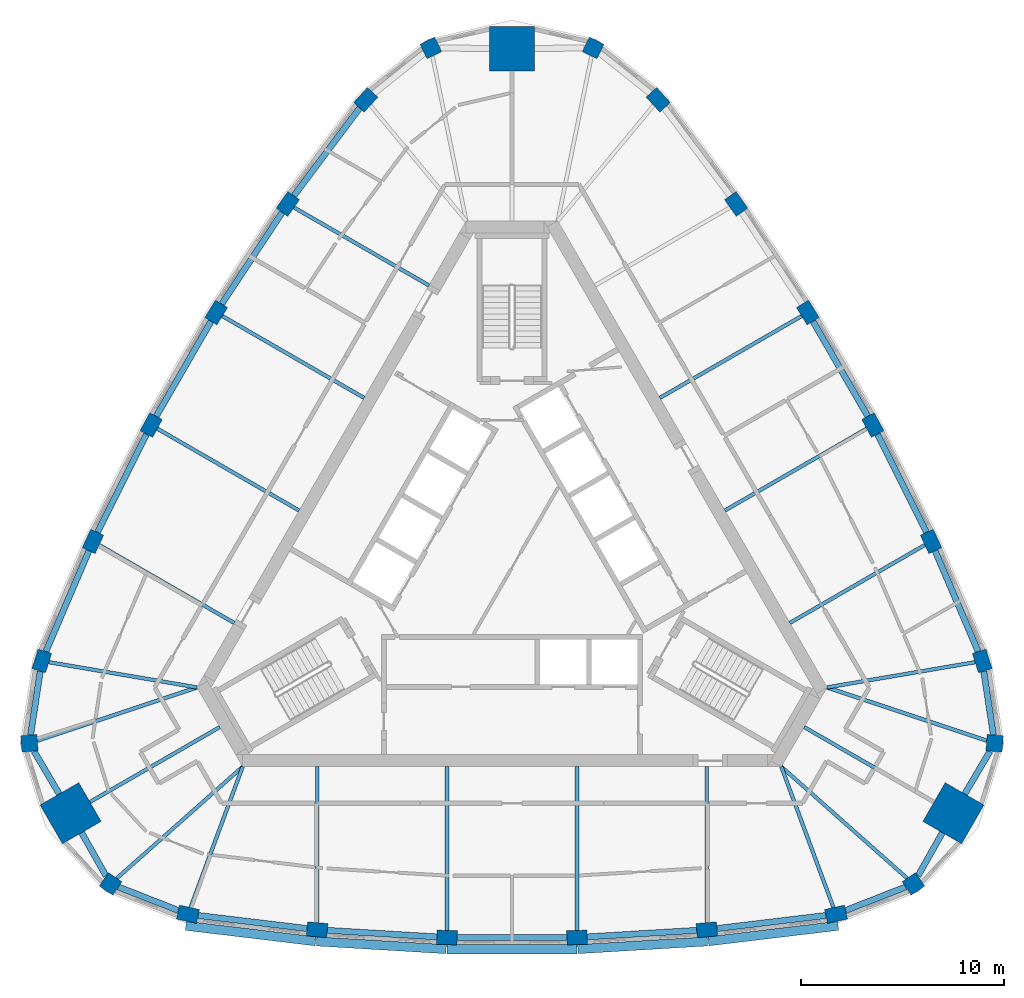
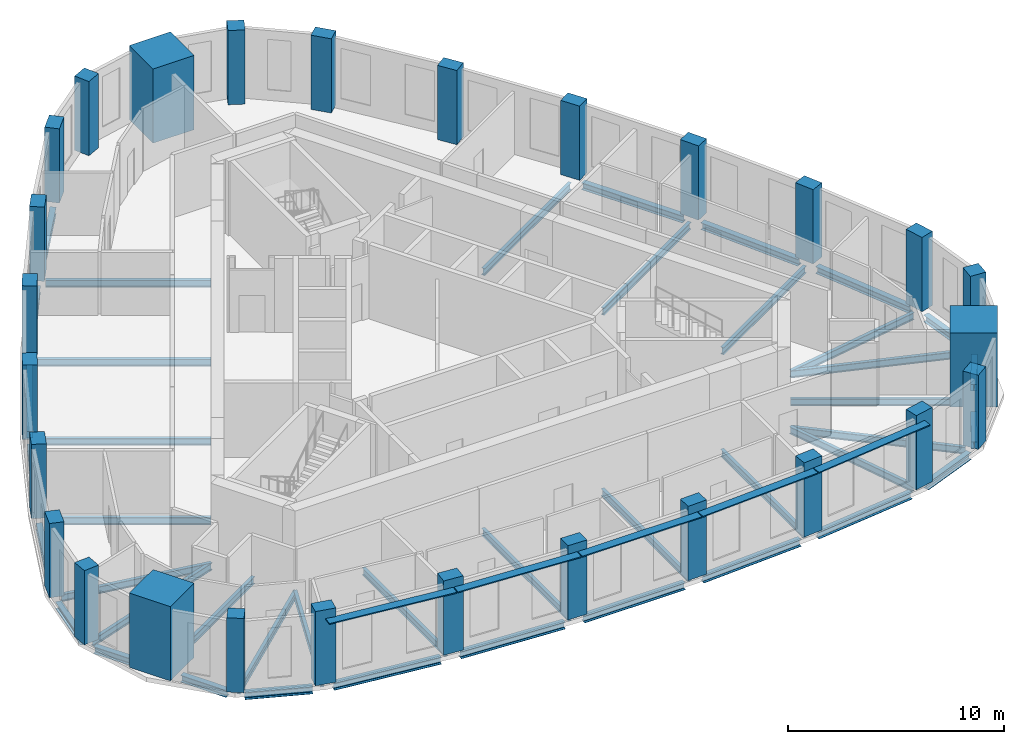
# One storey, part 1 of 10: 42 beams, 27 columns, 5 members.
"""IFC4 building model written with IfcOpenShell, lengths in metres."""

from ifc_helpers import new_model, si_unit, direction, frame, origin, origin_2d, place, context, subcontext, project, spatial, rectangle, i_section, extrude, material, material_profile, profile_set, type_object, element, save


model = new_model("IFC4")

# Units and contexts
model_context = context("Model", 3, precision=1e-05, world=origin(), true_north=direction((0.0, 1.0)))
body_context = subcontext(model_context, "Body", "Model", "MODEL_VIEW")
ifc_project = project(units=[si_unit("LENGTHUNIT", "METRE"), si_unit("AREAUNIT", "SQUARE_METRE"), si_unit("VOLUMEUNIT", "CUBIC_METRE"), si_unit("PLANEANGLEUNIT", "RADIAN"), si_unit("MASSUNIT", "GRAM", prefix="KILO")], contexts=[model_context])

# Site, building, storey
site_placement = place(None, origin())
site = spatial("IfcSite", under=ifc_project, at=site_placement, CompositionType="ELEMENT")
building_placement = place(site_placement, origin())
building = spatial("IfcBuilding", under=site, at=building_placement, Name="Mestral Congress Tower", CompositionType="ELEMENT")
storey_placement = place(building_placement, frame((0.0, 0.0, 309.0)))
storey = spatial("IfcBuildingStorey", under=building, at=storey_placement, Name="L72", CompositionType="ELEMENT", Elevation=309.0)

# Columns
ifc_material_1 = material(Name="Concrete C60/75", Category="concrete")
ifc_material_profile_1 = material_profile(ifc_material_1, rectangle(XDim=1.0, YDim=0.699951171875, at=origin_2d()), Name="RC 1000x700")
ifc_profile_set_1 = profile_set([ifc_material_profile_1], Name="Concrete C60/75")
column_type_1 = type_object("IfcColumnType", Name="Column RC 1000x700 C60/75", PredefinedType="COLUMN", material=ifc_profile_set_1)
for number, where, z_axis, x_axis, name in (
    (1, (-15.940673828125, -17.511962890625, 0.0), (0.0, 0.0, 1.0), (0.976233636503, -0.216720758026, 0.0), "COL-L72-C5-S00"),
    (2, (-9.587158203125, -18.273681640625, 0.0), (0.0, 0.0, 1.0), (0.995997816519, -0.089377567035, 0.0), "COL-L72-C5-S01"),
    (3, (-3.199462890625, -18.6552734375, 0.0), (0.0, 0.0, 1.0), (0.999555031657, -0.029828487872, 0.0), "COL-L72-C5-S02"),
    (4, (3.199462890625, -18.6552734375, 0.0), (0.0, 0.0, 1.0), (0.999555031657, 0.029828487872, 0.0), "COL-L72-C5-S03"),
    (5, (9.587158203125, -18.273681640625, 0.0), (0.0, 0.0, 1.0), (0.995997816519, 0.089377567035, 0.0), "COL-L72-C5-S04"),
    (6, (15.940673828125, -17.511962890625, 0.0), (0.0, 0.0, 1.0), (0.976233636503, 0.216720758026, 0.0), "COL-L72-C5-S05"),
    (7, (23.135986328125, -5.049072265625, 0.0), (0.0, 0.0, 1.0), (-0.300431136274, 0.953803508254, 0.0), "COL-L72-C5-E00"),
    (8, (20.618896484375, 0.833984375, 0.0), (0.0, 0.0, 1.0), (-0.420595664679, 0.907248194737, 0.0), "COL-L72-C5-E01"),
    (9, (17.755615234375, 6.556640625, 0.0), (0.0, 0.0, 1.0), (-0.473945287575, 0.880554293832, 0.0), "COL-L72-C5-E02"),
    (10, (14.55615234375, 12.098388671875, 0.0), (0.0, 0.0, 1.0), (-0.525609744083, 0.850725805959, 0.0), "COL-L72-C5-E03"),
    (11, (11.031982421875, 17.439697265625, 0.0), (0.0, 0.0, 1.0), (-0.57540215184, 0.817870627702, 0.0), "COL-L72-C5-E04"),
    (12, (7.1953125, 22.56103515625, 0.0), (0.0, 0.0, 1.0), (-0.67580250023, 0.737082750228, 0.0), "COL-L72-C5-E05"),
    (13, (-7.1953125, 22.56103515625, 0.0), (0.0, 0.0, 1.0), (-0.67580250023, -0.737082750228, 0.0), "COL-L72-C5-W00"),
    (14, (-11.031982421875, 17.439697265625, 0.0), (0.0, 0.0, 1.0), (-0.57540215184, -0.817870627702, 0.0), "COL-L72-C5-W01"),
    (15, (-14.55615234375, 12.098388671875, 0.0), (0.0, 0.0, 1.0), (-0.525609744083, -0.850725805959, 0.0), "COL-L72-C5-W02"),
    (16, (-17.755615234375, 6.556640625, 0.0), (0.0, 0.0, 1.0), (-0.473945287575, -0.880554293832, 0.0), "COL-L72-C5-W03"),
    (17, (-20.618896484375, 0.833984375, 0.0), (0.0, 0.0, 1.0), (-0.420595664679, -0.907248194737, 0.0), "COL-L72-C5-W04"),
    (18, (-23.135986328125, -5.049072265625, 0.0), (0.0, 0.0, 1.0), (-0.300431136274, -0.953803508254, 0.0), "COL-L72-C5-W05"),
):
    element("IfcColumn", number, at=place(storey_placement, frame(where, z_axis=z_axis, x_axis=x_axis)), inside=storey, type_object=column_type_1, Name=name, PredefinedType="COLUMN", context=body_context, shape_type="SweptSolid", body=[
        extrude(rectangle(XDim=1.0, YDim=0.699951171875, at=origin_2d()), origin(), (0.0, 0.0, 1.0), 4.199951171875),
    ])
ifc_material_profile_2 = material_profile(ifc_material_1, rectangle(XDim=0.800048828125, YDim=0.800048828125, at=origin_2d()), Name="RC 800x800")
ifc_profile_set_2 = profile_set([ifc_material_profile_2], Name="Concrete C60/75")
column_type_2 = type_object("IfcColumnType", Name="Column RC 800x800 C60/75", PredefinedType="COLUMN", material=ifc_profile_set_2)
for number, where, z_axis, x_axis, name in (
    (19, (19.75439453125, -16.0166015625, 0.0), (0.0, 0.0, 1.0), (0.826362775296, 0.563138139008, 0.0), "COL-L72-C5-SE1"),
    (20, (23.748046875, -9.099609375, 0.0), (0.0, 0.0, 1.0), (0.074510546573, 0.997220225652, 0.0), "COL-L72-C5-SE3"),
    (21, (3.993408203125, 25.1162109375, 0.0), (0.0, 0.0, 1.0), (-0.900873321869, 0.434082086644, 0.0), "COL-L72-C5-N1"),
    (22, (-3.993408203125, 25.1162109375, 0.0), (0.0, 0.0, 1.0), (-0.900873321869, -0.434082086644, 0.0), "COL-L72-C5-N3"),
    (23, (-23.748046875, -9.099609375, 0.0), (0.0, 0.0, 1.0), (0.074510546573, -0.997220225652, 0.0), "COL-L72-C5-SW1"),
    (24, (-19.75439453125, -16.0166015625, 0.0), (0.0, 0.0, 1.0), (0.826362775296, -0.563138139008, 0.0), "COL-L72-C5-SW3"),
):
    element("IfcColumn", number, at=place(storey_placement, frame(where, z_axis=z_axis, x_axis=x_axis)), inside=storey, type_object=column_type_2, Name=name, PredefinedType="COLUMN", context=body_context, shape_type="SweptSolid", body=[
        extrude(rectangle(XDim=0.800048828125, YDim=0.800048828125, at=origin_2d()), origin(), (0.0, 0.0, 1.0), 4.199951171875),
    ])
ifc_material_profile_3 = material_profile(ifc_material_1, rectangle(XDim=2.199951171875, YDim=2.199951171875, at=origin_2d()), Name="RC 2200x2200")
ifc_profile_set_3 = profile_set([ifc_material_profile_3], Name="Concrete C60/75")
column_type_3 = type_object("IfcColumnType", Name="Mega column RC 2200x2200 C60/75", PredefinedType="COLUMN", material=ifc_profile_set_3)
for number, where, z_axis, x_axis, name in (
    (25, (21.71826171875, -12.5390625, 0.0), (0.0, 0.0, 1.0), (0.866025403784, -0.5, 0.0), "COL-L72-PY5-SE"),
    (26, (0.0, 25.078125, 0.0), (0.0, 0.0, 1.0), (0.0, 1.0, 0.0), "COL-L72-PY5-N"),
    (27, (-21.71826171875, -12.5390625, 0.0), (0.0, 0.0, 1.0), (-0.866025403784, -0.5, 0.0), "COL-L72-PY5-SW"),
):
    element("IfcColumn", number, at=place(storey_placement, frame(where, z_axis=z_axis, x_axis=x_axis)), inside=storey, type_object=column_type_3, Name=name, PredefinedType="COLUMN", context=body_context, shape_type="SweptSolid", body=[
        extrude(rectangle(XDim=2.199951171875, YDim=2.199951171875, at=origin_2d()), origin(), (0.0, 0.0, 1.0), 4.199951171875),
    ])

# Members
ifc_material_2 = material(Name="Glazed ceramic", Category="masonry")
ifc_material_profile_4 = material_profile(ifc_material_2, rectangle(XDim=0.449951171875, YDim=0.06005859375, at=origin_2d()), Name="Ceramic blade 450 x 60")
ifc_profile_set_4 = profile_set([ifc_material_profile_4], Name="Glazed ceramic")
member_type = type_object("IfcMemberType", Name="Facade sunshade blade 450 x 60", PredefinedType="USERDEFINED", material=ifc_profile_set_4)
member_1_placement = place(storey_placement, frame((-16.04638671875, -18.078369140625, 3.679931640625), z_axis=(0.992890306953, -0.119032929725, 0.0), x_axis=(0.119032929725, 0.992890306953, 0.0)))
element("IfcMember", 28, at=member_1_placement, inside=storey, type_object=member_type, Name="Sunshade F0-00", ObjectType="SUNSHADE", PredefinedType="USERDEFINED", context=body_context, shape_type="SweptSolid", body=[
    extrude(rectangle(XDim=0.449951171875, YDim=0.06005859375, at=origin_2d()), origin(), (0.0, 0.0, 1.0), 6.429931640625),
])
member_2_placement = place(storey_placement, frame((-9.614990234375, -18.84814453125, 3.679931640625), z_axis=(0.998222174469, -0.059602771735, 0.0), x_axis=(0.059602771735, 0.998222174469, 0.0)))
element("IfcMember", 29, at=member_2_placement, inside=storey, type_object=member_type, Name="Sunshade F0-01", ObjectType="SUNSHADE", PredefinedType="USERDEFINED", context=body_context, shape_type="SweptSolid", body=[
    extrude(rectangle(XDim=0.449951171875, YDim=0.06005859375, at=origin_2d()), origin(), (0.0, 0.0, 1.0), 6.385986328125),
])
member_3_placement = place(storey_placement, frame((-3.193115234375, -19.230224609375, 3.679931640625), z_axis=(1.0, 0.0, 0.0), x_axis=(0.0, 1.0, 0.0)))
element("IfcMember", 30, at=member_3_placement, inside=storey, type_object=member_type, Name="Sunshade F0-02", ObjectType="SUNSHADE", PredefinedType="USERDEFINED", context=body_context, shape_type="SweptSolid", body=[
    extrude(rectangle(XDim=0.449951171875, YDim=0.06005859375, at=origin_2d()), origin(), (0.0, 0.0, 1.0), 6.38623046875),
])
member_4_placement = place(storey_placement, frame((3.240478515625, -19.228759765625, 3.679931640625), z_axis=(0.998222174469, 0.059602771735, 0.0), x_axis=(-0.059602771735, 0.998222174469, 0.0)))
element("IfcMember", 31, at=member_4_placement, inside=storey, type_object=member_type, Name="Sunshade F0-03", ObjectType="SUNSHADE", PredefinedType="USERDEFINED", context=body_context, shape_type="SweptSolid", body=[
    extrude(rectangle(XDim=0.449951171875, YDim=0.06005859375, at=origin_2d()), origin(), (0.0, 0.0, 1.0), 6.385986328125),
])
member_5_placement = place(storey_placement, frame((9.662109375, -18.84375, 3.679931640625), z_axis=(0.992890306953, 0.119032929725, 0.0), x_axis=(-0.119032929725, 0.992890306953, 0.0)))
element("IfcMember", 32, at=member_5_placement, inside=storey, type_object=member_type, Name="Sunshade F0-04", ObjectType="SUNSHADE", PredefinedType="USERDEFINED", context=body_context, shape_type="SweptSolid", body=[
    extrude(rectangle(XDim=0.449951171875, YDim=0.06005859375, at=origin_2d()), origin(), (0.0, 0.0, 1.0), 6.429931640625),
])

# Beams
ifc_material_3 = material(Name="Steel S355", Category="steel")
ifc_material_profile_5 = material_profile(ifc_material_3, i_section(OverallWidth=0.179931640625, OverallDepth=0.39990234375, WebThickness=0.008544921875, FlangeThickness=0.013427734375, FilletRadius=0.02099609375, at=origin_2d()), Name="IPE 400")
ifc_profile_set_5 = profile_set([ifc_material_profile_5], Name="Steel S355")
beam_type_1 = type_object("IfcBeamType", Name="Floor beam IPE 400 S355", PredefinedType="BEAM", material=ifc_profile_set_5)
beam_1_placement = place(storey_placement, frame((-15.81787109375, -17.1806640625, -0.449951171875), z_axis=(0.347399345496, 0.937717278687, 0.0), x_axis=(-0.937717278687, 0.347399345496, 0.0)))
element("IfcBeam", 33, at=beam_1_placement, inside=storey, type_object=beam_type_1, Name="BM-L72-RB5-S00", PredefinedType="BEAM", context=body_context, shape_type="SweptSolid", body=[
    extrude(i_section(OverallWidth=0.179931640625, OverallDepth=0.39990234375, WebThickness=0.008544921875, FlangeThickness=0.013427734375, FilletRadius=0.02099609375, at=origin_2d()), origin(), (0.0, 0.0, 1.0), 7.39111328125),
])
beam_2_placement = place(storey_placement, frame((-9.587158203125, -17.92236328125, -0.449951171875), z_axis=(0.0, 1.0, 0.0), x_axis=(-1.0, 0.0, 0.0)))
element("IfcBeam", 34, at=beam_2_placement, inside=storey, type_object=beam_type_1, Name="BM-L72-RB5-S01", PredefinedType="BEAM", context=body_context, shape_type="SweptSolid", body=[
    extrude(i_section(OverallWidth=0.179931640625, OverallDepth=0.39990234375, WebThickness=0.008544921875, FlangeThickness=0.013427734375, FilletRadius=0.02099609375, at=origin_2d()), origin(), (0.0, 0.0, 1.0), 7.67236328125),
])
for number, where, z_axis, x_axis, name in (
    (35, (-3.199462890625, -18.304931640625, -0.449951171875), (0.0, 1.0, 0.0), (-1.0, 0.0, 0.0), "BM-L72-RB5-S02"),
    (36, (3.199462890625, -18.304931640625, -0.449951171875), (0.0, 1.0, 0.0), (-1.0, 0.0, 0.0), "BM-L72-RB5-S03"),
):
    element("IfcBeam", number, at=place(storey_placement, frame(where, z_axis=z_axis, x_axis=x_axis)), inside=storey, type_object=beam_type_1, Name=name, PredefinedType="BEAM", context=body_context, shape_type="SweptSolid", body=[
        extrude(i_section(OverallWidth=0.179931640625, OverallDepth=0.39990234375, WebThickness=0.008544921875, FlangeThickness=0.013427734375, FilletRadius=0.02099609375, at=origin_2d()), origin(), (0.0, 0.0, 1.0), 8.054931640625),
    ])
beam_3_placement = place(storey_placement, frame((9.587158203125, -17.92236328125, -0.449951171875), z_axis=(0.0, 1.0, 0.0), x_axis=(-1.0, 0.0, 0.0)))
element("IfcBeam", 37, at=beam_3_placement, inside=storey, type_object=beam_type_1, Name="BM-L72-RB5-S04", PredefinedType="BEAM", context=body_context, shape_type="SweptSolid", body=[
    extrude(i_section(OverallWidth=0.179931640625, OverallDepth=0.39990234375, WebThickness=0.008544921875, FlangeThickness=0.013427734375, FilletRadius=0.02099609375, at=origin_2d()), origin(), (0.0, 0.0, 1.0), 7.67236328125),
])
beam_4_placement = place(storey_placement, frame((15.81787109375, -17.1806640625, -0.449951171875), z_axis=(-0.347399345496, 0.937717278687, 0.0), x_axis=(-0.937717278687, -0.347399345496, 0.0)))
element("IfcBeam", 38, at=beam_4_placement, inside=storey, type_object=beam_type_1, Name="BM-L72-RB5-S05", PredefinedType="BEAM", context=body_context, shape_type="SweptSolid", body=[
    extrude(i_section(OverallWidth=0.179931640625, OverallDepth=0.39990234375, WebThickness=0.008544921875, FlangeThickness=0.013427734375, FilletRadius=0.02099609375, at=origin_2d()), origin(), (0.0, 0.0, 1.0), 7.39111328125),
])
beam_5_placement = place(storey_placement, frame((19.44580078125, -15.742919921875, -0.449951171875), z_axis=(-0.74826277439, 0.663402457383, 0.0), x_axis=(-0.663402457383, -0.74826277439, 0.0)))
element("IfcBeam", 39, at=beam_5_placement, inside=storey, type_object=beam_type_1, Name="BM-L72-RB5-SE1", PredefinedType="BEAM", context=body_context, shape_type="SweptSolid", body=[
    extrude(i_section(OverallWidth=0.179931640625, OverallDepth=0.39990234375, WebThickness=0.008544921875, FlangeThickness=0.013427734375, FilletRadius=0.02099609375, at=origin_2d()), origin(), (0.0, 0.0, 1.0), 8.280029296875),
])
beam_6_placement = place(storey_placement, frame((20.765625, -11.989013671875, -0.449951171875), z_axis=(-0.866031296205, 0.499989793889, 0.0), x_axis=(-0.499989793889, -0.866031296205, 0.0)))
element("IfcBeam", 40, at=beam_6_placement, inside=storey, type_object=beam_type_1, Name="BM-L72-RB5-SE", PredefinedType="BEAM", context=body_context, shape_type="SweptSolid", body=[
    extrude(i_section(OverallWidth=0.179931640625, OverallDepth=0.39990234375, WebThickness=0.008544921875, FlangeThickness=0.013427734375, FilletRadius=0.02099609375, at=origin_2d()), origin(), (0.0, 0.0, 1.0), 7.378173828125),
])
beam_7_placement = place(storey_placement, frame((23.356689453125, -8.968994140625, -0.449951171875), z_axis=(-0.948659706446, 0.316298532031, 0.0), x_axis=(-0.316298532031, -0.948659706446, 0.0)))
element("IfcBeam", 41, at=beam_7_placement, inside=storey, type_object=beam_type_1, Name="BM-L72-RB5-SE3", PredefinedType="BEAM", context=body_context, shape_type="SweptSolid", body=[
    extrude(i_section(OverallWidth=0.179931640625, OverallDepth=0.39990234375, WebThickness=0.008544921875, FlangeThickness=0.013427734375, FilletRadius=0.02099609375, at=origin_2d()), origin(), (0.0, 0.0, 1.0), 8.27978515625),
])
beam_8_placement = place(storey_placement, frame((22.787841796875, -5.1083984375, -0.449951171875), z_axis=(-0.985786503242, -0.168002886958, 0.0), x_axis=(0.168002886958, -0.985786503242, 0.0)))
element("IfcBeam", 42, at=beam_8_placement, inside=storey, type_object=beam_type_1, Name="BM-L72-RB5-E00", PredefinedType="BEAM", context=body_context, shape_type="SweptSolid", body=[
    extrude(i_section(OverallWidth=0.179931640625, OverallDepth=0.39990234375, WebThickness=0.008544921875, FlangeThickness=0.013427734375, FilletRadius=0.02099609375, at=origin_2d()), origin(), (0.0, 0.0, 1.0), 7.390869140625),
])
beam_9_placement = place(storey_placement, frame((20.314697265625, 0.658447265625, -0.449951171875), z_axis=(-0.866019720907, -0.500009842903, 0.0), x_axis=(0.500009842903, -0.866019720907, 0.0)))
element("IfcBeam", 43, at=beam_9_placement, inside=storey, type_object=beam_type_1, Name="BM-L72-RB5-E01", PredefinedType="BEAM", context=body_context, shape_type="SweptSolid", body=[
    extrude(i_section(OverallWidth=0.179931640625, OverallDepth=0.39990234375, WebThickness=0.008544921875, FlangeThickness=0.013427734375, FilletRadius=0.02099609375, at=origin_2d()), origin(), (0.0, 0.0, 1.0), 7.672119140625),
])
for number, where, z_axis, x_axis, name in (
    (44, (17.452392578125, 6.381591796875, -0.449951171875), (-0.866020537834, -0.500008427979, 0.0), (0.500008427979, -0.866020537834, 0.0), "BM-L72-RB5-E02"),
    (45, (14.2529296875, 11.92333984375, -0.449951171875), (-0.866033662086, -0.499985695929, 0.0), (0.499985695929, -0.866033662086, 0.0), "BM-L72-RB5-E03"),
):
    element("IfcBeam", number, at=place(storey_placement, frame(where, z_axis=z_axis, x_axis=x_axis)), inside=storey, type_object=beam_type_1, Name=name, PredefinedType="BEAM", context=body_context, shape_type="SweptSolid", body=[
        extrude(i_section(OverallWidth=0.179931640625, OverallDepth=0.39990234375, WebThickness=0.008544921875, FlangeThickness=0.013427734375, FilletRadius=0.02099609375, at=origin_2d()), origin(), (0.0, 0.0, 1.0), 8.054931640625),
    ])
beam_10_placement = place(storey_placement, frame((-10.7275390625, 17.263916015625, -0.449951171875), z_axis=(0.866019720907, -0.500009842903, 0.0), x_axis=(0.500009842903, 0.866019720907, 0.0)))
element("IfcBeam", 46, at=beam_10_placement, inside=storey, type_object=beam_type_1, Name="BM-L72-RB5-W01", PredefinedType="BEAM", context=body_context, shape_type="SweptSolid", body=[
    extrude(i_section(OverallWidth=0.179931640625, OverallDepth=0.39990234375, WebThickness=0.008544921875, FlangeThickness=0.013427734375, FilletRadius=0.02099609375, at=origin_2d()), origin(), (0.0, 0.0, 1.0), 7.672119140625),
])
for number, where, z_axis, x_axis, name in (
    (47, (-14.2529296875, 11.92333984375, -0.449951171875), (0.866033662086, -0.499985695929, 0.0), (0.499985695929, 0.866033662086, 0.0), "BM-L72-RB5-W02"),
    (48, (-17.452392578125, 6.381591796875, -0.449951171875), (0.866020537834, -0.500008427979, 0.0), (0.500008427979, 0.866020537834, 0.0), "BM-L72-RB5-W03"),
):
    element("IfcBeam", number, at=place(storey_placement, frame(where, z_axis=z_axis, x_axis=x_axis)), inside=storey, type_object=beam_type_1, Name=name, PredefinedType="BEAM", context=body_context, shape_type="SweptSolid", body=[
        extrude(i_section(OverallWidth=0.179931640625, OverallDepth=0.39990234375, WebThickness=0.008544921875, FlangeThickness=0.013427734375, FilletRadius=0.02099609375, at=origin_2d()), origin(), (0.0, 0.0, 1.0), 8.054931640625),
    ])
beam_11_placement = place(storey_placement, frame((-20.314697265625, 0.658447265625, -0.449951171875), z_axis=(0.866019720907, -0.500009842903, 0.0), x_axis=(0.500009842903, 0.866019720907, 0.0)))
element("IfcBeam", 49, at=beam_11_placement, inside=storey, type_object=beam_type_1, Name="BM-L72-RB5-W04", PredefinedType="BEAM", context=body_context, shape_type="SweptSolid", body=[
    extrude(i_section(OverallWidth=0.179931640625, OverallDepth=0.39990234375, WebThickness=0.008544921875, FlangeThickness=0.013427734375, FilletRadius=0.02099609375, at=origin_2d()), origin(), (0.0, 0.0, 1.0), 7.672119140625),
])
beam_12_placement = place(storey_placement, frame((-22.787841796875, -5.1083984375, -0.449951171875), z_axis=(0.985786503242, -0.168002886958, 0.0), x_axis=(0.168002886958, 0.985786503242, 0.0)))
element("IfcBeam", 50, at=beam_12_placement, inside=storey, type_object=beam_type_1, Name="BM-L72-RB5-W05", PredefinedType="BEAM", context=body_context, shape_type="SweptSolid", body=[
    extrude(i_section(OverallWidth=0.179931640625, OverallDepth=0.39990234375, WebThickness=0.008544921875, FlangeThickness=0.013427734375, FilletRadius=0.02099609375, at=origin_2d()), origin(), (0.0, 0.0, 1.0), 7.390869140625),
])
beam_13_placement = place(storey_placement, frame((-23.356689453125, -8.968994140625, -0.449951171875), z_axis=(0.948659706446, 0.316298532031, 0.0), x_axis=(-0.316298532031, 0.948659706446, 0.0)))
element("IfcBeam", 51, at=beam_13_placement, inside=storey, type_object=beam_type_1, Name="BM-L72-RB5-SW1", PredefinedType="BEAM", context=body_context, shape_type="SweptSolid", body=[
    extrude(i_section(OverallWidth=0.179931640625, OverallDepth=0.39990234375, WebThickness=0.008544921875, FlangeThickness=0.013427734375, FilletRadius=0.02099609375, at=origin_2d()), origin(), (0.0, 0.0, 1.0), 8.27978515625),
])
beam_14_placement = place(storey_placement, frame((-20.765625, -11.989013671875, -0.449951171875), z_axis=(0.866031296205, 0.499989793889, 0.0), x_axis=(-0.499989793889, 0.866031296205, 0.0)))
element("IfcBeam", 52, at=beam_14_placement, inside=storey, type_object=beam_type_1, Name="BM-L72-RB5-SW", PredefinedType="BEAM", context=body_context, shape_type="SweptSolid", body=[
    extrude(i_section(OverallWidth=0.179931640625, OverallDepth=0.39990234375, WebThickness=0.008544921875, FlangeThickness=0.013427734375, FilletRadius=0.02099609375, at=origin_2d()), origin(), (0.0, 0.0, 1.0), 7.378173828125),
])
beam_15_placement = place(storey_placement, frame((-19.44580078125, -15.742919921875, -0.449951171875), z_axis=(0.74826277439, 0.663402457383, 0.0), x_axis=(-0.663402457383, 0.74826277439, 0.0)))
element("IfcBeam", 53, at=beam_15_placement, inside=storey, type_object=beam_type_1, Name="BM-L72-RB5-SW3", PredefinedType="BEAM", context=body_context, shape_type="SweptSolid", body=[
    extrude(i_section(OverallWidth=0.179931640625, OverallDepth=0.39990234375, WebThickness=0.008544921875, FlangeThickness=0.013427734375, FilletRadius=0.02099609375, at=origin_2d()), origin(), (0.0, 0.0, 1.0), 8.280029296875),
])
ifc_material_profile_6 = material_profile(ifc_material_3, i_section(OverallWidth=0.300048828125, OverallDepth=0.389892578125, WebThickness=0.010986328125, FlangeThickness=0.01904296875, FilletRadius=0.027099609375, at=origin_2d()), Name="HEA 400")
ifc_profile_set_6 = profile_set([ifc_material_profile_6], Name="Steel S355")
beam_type_2 = type_object("IfcBeamType", Name="Spandrel beam HEA 400 S355", PredefinedType="BEAM", material=ifc_profile_set_6)
beam_16_placement = place(storey_placement, frame((-15.44189453125, -17.57177734375, -0.445068359375), z_axis=(0.992890319222, -0.119032827389, 0.0), x_axis=(0.119032827389, 0.992890319222, 0.0)))
element("IfcBeam", 54, at=beam_16_placement, inside=storey, type_object=beam_type_2, Name="SP-L72-SB5-S00", PredefinedType="BEAM", context=body_context, shape_type="SweptSolid", body=[
    extrude(i_section(OverallWidth=0.300048828125, OverallDepth=0.389892578125, WebThickness=0.010986328125, FlangeThickness=0.01904296875, FilletRadius=0.027099609375, at=origin_2d()), origin(), (0.0, 0.0, 1.0), 5.396240234375),
])
beam_17_placement = place(storey_placement, frame((-9.087890625, -18.303466796875, -0.445068359375), z_axis=(0.998219522722, -0.059647166371, 0.0), x_axis=(0.059647166371, 0.998219522722, 0.0)))
element("IfcBeam", 55, at=beam_17_placement, inside=storey, type_object=beam_type_2, Name="SP-L72-SB5-S01", PredefinedType="BEAM", context=body_context, shape_type="SweptSolid", body=[
    extrude(i_section(OverallWidth=0.300048828125, OverallDepth=0.389892578125, WebThickness=0.010986328125, FlangeThickness=0.01904296875, FilletRadius=0.027099609375, at=origin_2d()), origin(), (0.0, 0.0, 1.0), 5.398681640625),
])
beam_18_placement = place(storey_placement, frame((-2.69921875, -18.6552734375, -0.445068359375), z_axis=(1.0, 0.0, 0.0), x_axis=(0.0, 1.0, 0.0)))
element("IfcBeam", 56, at=beam_18_placement, inside=storey, type_object=beam_type_2, Name="SP-L72-SB5-S02", PredefinedType="BEAM", context=body_context, shape_type="SweptSolid", body=[
    extrude(i_section(OverallWidth=0.300048828125, OverallDepth=0.389892578125, WebThickness=0.010986328125, FlangeThickness=0.01904296875, FilletRadius=0.027099609375, at=origin_2d()), origin(), (0.0, 0.0, 1.0), 5.3984375),
])
beam_19_placement = place(storey_placement, frame((3.69873046875, -18.62548828125, -0.445068359375), z_axis=(0.998219522722, 0.059647166371, 0.0), x_axis=(-0.059647166371, 0.998219522722, 0.0)))
element("IfcBeam", 57, at=beam_19_placement, inside=storey, type_object=beam_type_2, Name="SP-L72-SB5-S03", PredefinedType="BEAM", context=body_context, shape_type="SweptSolid", body=[
    extrude(i_section(OverallWidth=0.300048828125, OverallDepth=0.389892578125, WebThickness=0.010986328125, FlangeThickness=0.01904296875, FilletRadius=0.027099609375, at=origin_2d()), origin(), (0.0, 0.0, 1.0), 5.398681640625),
])
beam_20_placement = place(storey_placement, frame((10.083984375, -18.214111328125, -0.445068359375), z_axis=(0.992890319222, 0.119032827389, 0.0), x_axis=(-0.119032827389, 0.992890319222, 0.0)))
element("IfcBeam", 58, at=beam_20_placement, inside=storey, type_object=beam_type_2, Name="SP-L72-SB5-S04", PredefinedType="BEAM", context=body_context, shape_type="SweptSolid", body=[
    extrude(i_section(OverallWidth=0.300048828125, OverallDepth=0.389892578125, WebThickness=0.010986328125, FlangeThickness=0.01904296875, FilletRadius=0.027099609375, at=origin_2d()), origin(), (0.0, 0.0, 1.0), 5.396240234375),
])
beam_21_placement = place(storey_placement, frame((16.411865234375, -17.3271484375, -0.445068359375), z_axis=(0.930980873283, 0.365067957485, 0.0), x_axis=(-0.365067957485, 0.930980873283, 0.0)))
element("IfcBeam", 59, at=beam_21_placement, inside=storey, type_object=beam_type_2, Name="SP-L72-SB5-S05", PredefinedType="BEAM", context=body_context, shape_type="SweptSolid", body=[
    extrude(i_section(OverallWidth=0.300048828125, OverallDepth=0.389892578125, WebThickness=0.010986328125, FlangeThickness=0.01904296875, FilletRadius=0.027099609375, at=origin_2d()), origin(), (0.0, 0.0, 1.0), 3.179931640625),
])
beam_22_placement = place(storey_placement, frame((19.9736328125, -15.628173828125, -0.445068359375), z_axis=(0.491728558518, 0.870748542771, 0.0), x_axis=(-0.870748542771, 0.491728558518, 0.0)))
element("IfcBeam", 60, at=beam_22_placement, inside=storey, type_object=beam_type_2, Name="SP-L72-SB5-SE1", PredefinedType="BEAM", context=body_context, shape_type="SweptSolid", body=[
    extrude(i_section(OverallWidth=0.300048828125, OverallDepth=0.389892578125, WebThickness=0.010986328125, FlangeThickness=0.01904296875, FilletRadius=0.027099609375, at=origin_2d()), origin(), (0.0, 0.0, 1.0), 2.44775390625),
])
beam_23_placement = place(storey_placement, frame((22.27734375, -11.591552734375, -0.445068359375), z_axis=(0.508218412694, 0.861228218882, 0.0), x_axis=(-0.861228218882, 0.508218412694, 0.0)))
element("IfcBeam", 61, at=beam_23_placement, inside=storey, type_object=beam_type_2, Name="SP-L72-SB5-SE", PredefinedType="BEAM", context=body_context, shape_type="SweptSolid", body=[
    extrude(i_section(OverallWidth=0.300048828125, OverallDepth=0.389892578125, WebThickness=0.010986328125, FlangeThickness=0.01904296875, FilletRadius=0.027099609375, at=origin_2d()), origin(), (0.0, 0.0, 1.0), 2.447509765625),
])
beam_24_placement = place(storey_placement, frame((23.686767578125, -8.69384765625, -0.445068359375), z_axis=(-0.149402818736, 0.98877641444, 0.0), x_axis=(-0.98877641444, -0.149402818736, 0.0)))
element("IfcBeam", 62, at=beam_24_placement, inside=storey, type_object=beam_type_2, Name="SP-L72-SB5-SE3", PredefinedType="BEAM", context=body_context, shape_type="SweptSolid", body=[
    extrude(i_section(OverallWidth=0.300048828125, OverallDepth=0.389892578125, WebThickness=0.010986328125, FlangeThickness=0.01904296875, FilletRadius=0.027099609375, at=origin_2d()), origin(), (0.0, 0.0, 1.0), 3.179931640625),
])
beam_25_placement = place(storey_placement, frame((22.9384765625, -4.587158203125, -0.445068359375), z_axis=(-0.393367759324, 0.919381208164, 0.0), x_axis=(-0.919381208164, -0.393367759324, 0.0)))
element("IfcBeam", 63, at=beam_25_placement, inside=storey, type_object=beam_type_2, Name="SP-L72-SB5-E00", PredefinedType="BEAM", context=body_context, shape_type="SweptSolid", body=[
    extrude(i_section(OverallWidth=0.300048828125, OverallDepth=0.389892578125, WebThickness=0.010986328125, FlangeThickness=0.01904296875, FilletRadius=0.027099609375, at=origin_2d()), origin(), (0.0, 0.0, 1.0), 5.396484375),
])
beam_26_placement = place(storey_placement, frame((20.395263671875, 1.281494140625, -0.445068359375), z_axis=(-0.44748491494, 0.894291479832, 0.0), x_axis=(-0.894291479832, -0.44748491494, 0.0)))
element("IfcBeam", 64, at=beam_26_placement, inside=storey, type_object=beam_type_2, Name="SP-L72-SB5-E01", PredefinedType="BEAM", context=body_context, shape_type="SweptSolid", body=[
    extrude(i_section(OverallWidth=0.300048828125, OverallDepth=0.389892578125, WebThickness=0.010986328125, FlangeThickness=0.01904296875, FilletRadius=0.027099609375, at=origin_2d()), origin(), (0.0, 0.0, 1.0), 5.3984375),
])
beam_27_placement = place(storey_placement, frame((17.505615234375, 6.989990234375, -0.445068359375), z_axis=(-0.500025177812, 0.86601086688, 0.0), x_axis=(-0.86601086688, -0.500025177812, 0.0)))
element("IfcBeam", 65, at=beam_27_placement, inside=storey, type_object=beam_type_2, Name="SP-L72-SB5-E02", PredefinedType="BEAM", context=body_context, shape_type="SweptSolid", body=[
    extrude(i_section(OverallWidth=0.300048828125, OverallDepth=0.389892578125, WebThickness=0.010986328125, FlangeThickness=0.01904296875, FilletRadius=0.027099609375, at=origin_2d()), origin(), (0.0, 0.0, 1.0), 5.398681640625),
])
beam_28_placement = place(storey_placement, frame((-7.49658203125, 22.158935546875, -0.445068359375), z_axis=(-0.599529393236, -0.800352738888, 0.0), x_axis=(0.800352738888, -0.599529393236, 0.0)))
element("IfcBeam", 66, at=beam_28_placement, inside=storey, type_object=beam_type_2, Name="SP-L72-SB5-W00", PredefinedType="BEAM", context=body_context, shape_type="SweptSolid", body=[
    extrude(i_section(OverallWidth=0.300048828125, OverallDepth=0.389892578125, WebThickness=0.010986328125, FlangeThickness=0.01904296875, FilletRadius=0.027099609375, at=origin_2d()), origin(), (0.0, 0.0, 1.0), 5.396484375),
])
beam_29_placement = place(storey_placement, frame((-11.307373046875, 17.02197265625, -0.445068359375), z_axis=(-0.550748957655, -0.83467094453, 0.0), x_axis=(0.83467094453, -0.550748957655, 0.0)))
element("IfcBeam", 67, at=beam_29_placement, inside=storey, type_object=beam_type_2, Name="SP-L72-SB5-W01", PredefinedType="BEAM", context=body_context, shape_type="SweptSolid", body=[
    extrude(i_section(OverallWidth=0.300048828125, OverallDepth=0.389892578125, WebThickness=0.010986328125, FlangeThickness=0.01904296875, FilletRadius=0.027099609375, at=origin_2d()), origin(), (0.0, 0.0, 1.0), 5.3984375),
])
beam_30_placement = place(storey_placement, frame((-14.80615234375, 11.665283203125, -0.445068359375), z_axis=(-0.500025177812, -0.86601086688, 0.0), x_axis=(0.86601086688, -0.500025177812, 0.0)))
element("IfcBeam", 68, at=beam_30_placement, inside=storey, type_object=beam_type_2, Name="SP-L72-SB5-W02", PredefinedType="BEAM", context=body_context, shape_type="SweptSolid", body=[
    extrude(i_section(OverallWidth=0.300048828125, OverallDepth=0.389892578125, WebThickness=0.010986328125, FlangeThickness=0.01904296875, FilletRadius=0.027099609375, at=origin_2d()), origin(), (0.0, 0.0, 1.0), 5.398681640625),
])
beam_31_placement = place(storey_placement, frame((-17.9794921875, 6.109375, -0.445068359375), z_axis=(-0.44748491494, -0.894291479832, 0.0), x_axis=(0.894291479832, -0.44748491494, 0.0)))
element("IfcBeam", 69, at=beam_31_placement, inside=storey, type_object=beam_type_2, Name="SP-L72-SB5-W03", PredefinedType="BEAM", context=body_context, shape_type="SweptSolid", body=[
    extrude(i_section(OverallWidth=0.300048828125, OverallDepth=0.389892578125, WebThickness=0.010986328125, FlangeThickness=0.01904296875, FilletRadius=0.027099609375, at=origin_2d()), origin(), (0.0, 0.0, 1.0), 5.3984375),
])
beam_32_placement = place(storey_placement, frame((-20.815673828125, 0.374267578125, -0.445068359375), z_axis=(-0.393367759324, -0.919381208164, 0.0), x_axis=(0.919381208164, -0.393367759324, 0.0)))
element("IfcBeam", 70, at=beam_32_placement, inside=storey, type_object=beam_type_2, Name="SP-L72-SB5-W04", PredefinedType="BEAM", context=body_context, shape_type="SweptSolid", body=[
    extrude(i_section(OverallWidth=0.300048828125, OverallDepth=0.389892578125, WebThickness=0.010986328125, FlangeThickness=0.01904296875, FilletRadius=0.027099609375, at=origin_2d()), origin(), (0.0, 0.0, 1.0), 5.396484375),
])
beam_33_placement = place(storey_placement, frame((-23.211669921875, -5.549560546875, -0.445068359375), z_axis=(-0.149402818736, -0.98877641444, 0.0), x_axis=(0.98877641444, -0.149402818736, 0.0)))
element("IfcBeam", 71, at=beam_33_placement, inside=storey, type_object=beam_type_2, Name="SP-L72-SB5-W05", PredefinedType="BEAM", context=body_context, shape_type="SweptSolid", body=[
    extrude(i_section(OverallWidth=0.300048828125, OverallDepth=0.389892578125, WebThickness=0.010986328125, FlangeThickness=0.01904296875, FilletRadius=0.027099609375, at=origin_2d()), origin(), (0.0, 0.0, 1.0), 3.179931640625),
])
beam_34_placement = place(storey_placement, frame((-23.521240234375, -9.483642578125, -0.445068359375), z_axis=(0.508218412694, -0.861228218882, 0.0), x_axis=(0.861228218882, 0.508218412694, 0.0)))
element("IfcBeam", 72, at=beam_34_placement, inside=storey, type_object=beam_type_2, Name="SP-L72-SB5-SW1", PredefinedType="BEAM", context=body_context, shape_type="SweptSolid", body=[
    extrude(i_section(OverallWidth=0.300048828125, OverallDepth=0.389892578125, WebThickness=0.010986328125, FlangeThickness=0.01904296875, FilletRadius=0.027099609375, at=origin_2d()), origin(), (0.0, 0.0, 1.0), 2.447509765625),
])
beam_35_placement = place(storey_placement, frame((-21.17724609375, -13.496826171875, -0.445068359375), z_axis=(0.491728558518, -0.870748542771, 0.0), x_axis=(0.870748542771, 0.491728558518, 0.0)))
element("IfcBeam", 73, at=beam_35_placement, inside=storey, type_object=beam_type_2, Name="SP-L72-SB5-SW", PredefinedType="BEAM", context=body_context, shape_type="SweptSolid", body=[
    extrude(i_section(OverallWidth=0.300048828125, OverallDepth=0.389892578125, WebThickness=0.010986328125, FlangeThickness=0.01904296875, FilletRadius=0.027099609375, at=origin_2d()), origin(), (0.0, 0.0, 1.0), 2.44775390625),
])
beam_36_placement = place(storey_placement, frame((-19.372314453125, -16.166259765625, -0.445068359375), z_axis=(0.930980873283, -0.365067957485, 0.0), x_axis=(0.365067957485, 0.930980873283, 0.0)))
element("IfcBeam", 74, at=beam_36_placement, inside=storey, type_object=beam_type_2, Name="SP-L72-SB5-SW3", PredefinedType="BEAM", context=body_context, shape_type="SweptSolid", body=[
    extrude(i_section(OverallWidth=0.300048828125, OverallDepth=0.389892578125, WebThickness=0.010986328125, FlangeThickness=0.01904296875, FilletRadius=0.027099609375, at=origin_2d()), origin(), (0.0, 0.0, 1.0), 3.179931640625),
])

save(model, "model.ifc")
